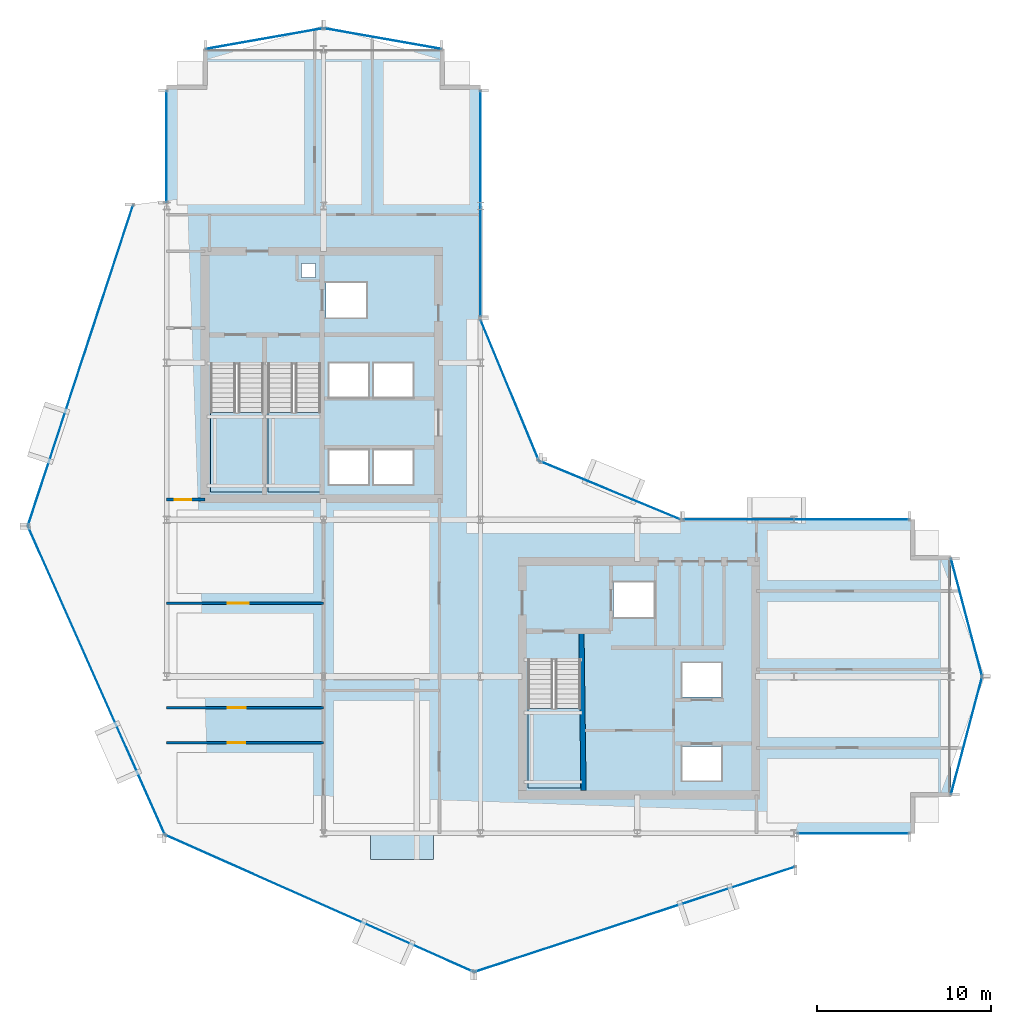
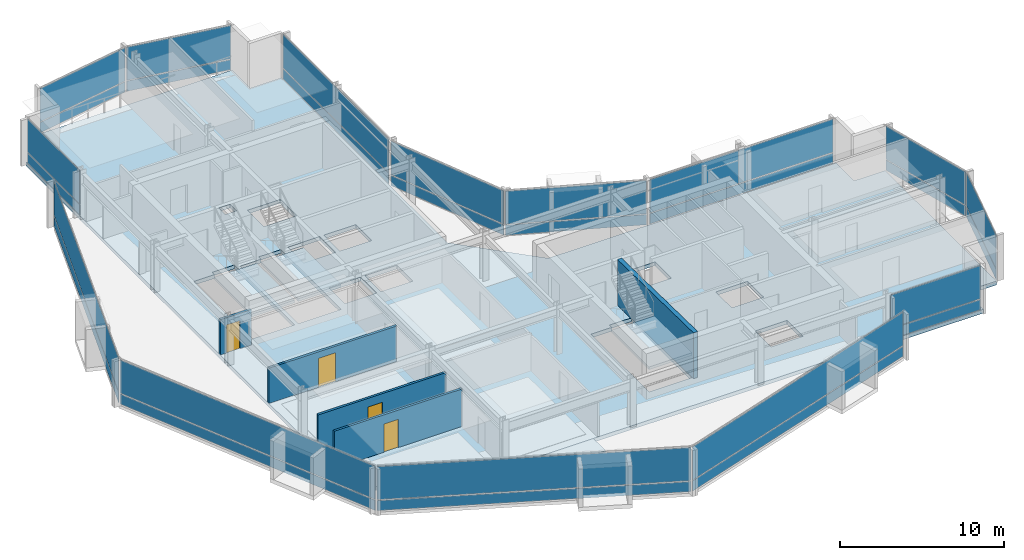
# One storey, part 21 of 29: 28 plates, 5 slabs, 5 walls, 4 doors, 4 openings, 17 elements without a shape of their own.
"""IFC4 building model written with IfcOpenShell, lengths in metres."""

import ifcopenshell
import ifcopenshell.guid

model = None  # the IFC model being written
_history = None  # IfcOwnerHistory: only IFC2X3 demands one
_inside = {}  # id of a spatial element -> (the spatial element, [elements in it])
_under = {}  # id of a project, library or spatial element -> (it, [spatial elements below it])
_declared = {}  # id of a project -> (the project, [libraries it declares])
_typed = {}  # id of a type object -> (the type object, [elements of that type])
_made_of = {}  # id of a material, layer set ... -> (it, [elements and type objects made of it])


def new_model(schema):
    """Start an empty IFC model of exactly this schema.

    Asked for "IFC4X3", IfcOpenShell would pick the latest addendum, in which some entities
    have other attributes; the version numbers below select the first issue.
    IFC2X3 requires an IfcOwnerHistory on every rooted entity: one is made here for all.
    """
    global model, _history
    if schema == "IFC4X3":
        model = ifcopenshell.file(schema_version=(4, 3, 0, 0))
    else:
        model = ifcopenshell.file(schema=schema)
    _inside.clear()
    _under.clear()
    _declared.clear()
    _typed.clear()
    _made_of.clear()
    _history = None
    if model.schema == "IFC2X3":
        org = make("IfcOrganization", Name="unknown")
        user = make(
            "IfcPersonAndOrganization",
            ThePerson=make("IfcPerson", FamilyName="unknown"),
            TheOrganization=org,
        )
        app = make(
            "IfcApplication",
            ApplicationDeveloper=org,
            Version="unknown",
            ApplicationFullName="unknown",
            ApplicationIdentifier="unknown",
        )
        _history = make(
            "IfcOwnerHistory",
            OwningUser=user,
            OwningApplication=app,
            ChangeAction="ADDED",
            CreationDate=0,
        )
    return model


def make(cls, **values):
    """One entity of the class cls with the attributes given. An attribute that is None is left unset."""
    return model.create_entity(
        cls, **{name: value for name, value in values.items() if value is not None}
    )


def rooted(cls, **values):
    """An entity with a GlobalId (a new one), such as an element, a storey or a relation."""
    return make(cls, GlobalId=ifcopenshell.guid.new(), OwnerHistory=_history, **values)


def si_unit(unit_type, name, prefix=None):
    """IfcSIUnit, for example si_unit("LENGTHUNIT", "METRE", prefix="MILLI")."""
    return make("IfcSIUnit", UnitType=unit_type, Prefix=prefix, Name=name)


def assignment(units):
    """IfcUnitAssignment: the units of a project."""
    return None if units is None else make("IfcUnitAssignment", Units=units)


def point(xyz):
    """IfcCartesianPoint."""
    return None if xyz is None else make("IfcCartesianPoint", Coordinates=xyz)


def direction(xyz):
    """IfcDirection."""
    return None if xyz is None else make("IfcDirection", DirectionRatios=xyz)


def frame(location, z_axis=None, x_axis=None):
    """IfcAxis2Placement3D, a coordinate frame: its origin and axes. An axis left out is left unset."""
    return make(
        "IfcAxis2Placement3D",
        Location=point(location),
        Axis=direction(z_axis),
        RefDirection=direction(x_axis),
    )


def frame_2d(location, x_axis=None):
    """IfcAxis2Placement2D, a coordinate frame in the plane: its origin and x axis."""
    return make(
        "IfcAxis2Placement2D", Location=point(location), RefDirection=direction(x_axis)
    )


def origin():
    """The frame at (0, 0, 0) with its axes left unset."""
    return frame((0.0, 0.0, 0.0))


def origin_2d():
    """The frame at (0, 0) in the plane with its x axis left unset."""
    return frame_2d((0.0, 0.0))


def place(relative_to, where):
    """IfcLocalPlacement: puts the frame where relative to a parent placement (None: the world)."""
    return make(
        "IfcLocalPlacement", PlacementRelTo=relative_to, RelativePlacement=where
    )


def context(
    kind, dimensions, precision=None, world=None, true_north=None, identifier=None
):
    """IfcGeometricRepresentationContext, for example the 3D "Model" context."""
    return make(
        "IfcGeometricRepresentationContext",
        ContextIdentifier=identifier,
        ContextType=kind,
        CoordinateSpaceDimension=dimensions,
        Precision=precision,
        WorldCoordinateSystem=world,
        TrueNorth=true_north,
    )


def subcontext(parent, identifier, kind, view, scale=None):
    """IfcGeometricRepresentationSubContext, for example "Body" below "Model"."""
    return make(
        "IfcGeometricRepresentationSubContext",
        ContextIdentifier=identifier,
        ContextType=kind,
        ParentContext=parent,
        TargetScale=scale,
        TargetView=view,
    )


def project(units=None, contexts=None):
    """IfcProject with its units and contexts."""
    return rooted(
        "IfcProject",
        Name="project",
        RepresentationContexts=contexts,
        UnitsInContext=assignment(units),
    )


def spatial(cls, under=None, at=None, **own):
    """A site, building, storey or space (cls), placed at a placement, below another one or the project."""
    s = rooted(cls, ObjectPlacement=at, **own)
    if under is not None:
        _under.setdefault(under.id(), (under, []))[1].append(s)
    return s


def polyline(points):
    """IfcPolyline through the points."""
    return make("IfcPolyline", Points=[point(p) for p in points])


def profile(cls, at=None, kind="AREA", **sizes):
    """A parametric profile (cls). Its sizes go by their IFC names, for example OverallWidth=200.0."""
    return make(cls, ProfileType=kind, Position=at, **sizes)


def rectangle(**sizes):
    """IfcRectangleProfileDef."""
    return profile("IfcRectangleProfileDef", **sizes)


def outline(outer, holes=None, kind="AREA"):
    """IfcArbitraryClosedProfileDef: a profile drawn as a closed curve; with holes, ...WithVoids."""
    if holes is None:
        return make("IfcArbitraryClosedProfileDef", ProfileType=kind, OuterCurve=outer)
    return make(
        "IfcArbitraryProfileDefWithVoids",
        ProfileType=kind,
        OuterCurve=outer,
        InnerCurves=holes,
    )


def extrude(swept, where, along, depth):
    """IfcExtrudedAreaSolid: the profile swept, set in the frame where, extruded along a direction by depth."""
    return make(
        "IfcExtrudedAreaSolid",
        SweptArea=swept,
        Position=where,
        ExtrudedDirection=direction(along),
        Depth=depth,
    )


def shape(context_of_items, identifier, shape_type, items):
    """IfcShapeRepresentation: the items that make up one representation, for example the "Body"."""
    return make(
        "IfcShapeRepresentation",
        ContextOfItems=context_of_items,
        RepresentationIdentifier=identifier,
        RepresentationType=shape_type,
        Items=items,
    )


def material(Name=None, Category=None):
    """IfcMaterial."""
    return make("IfcMaterial", Name=Name, Category=Category)


def layer(
    of_material, thickness, ventilated=None, Name=None, Category=None, Priority=None
):
    """IfcMaterialLayer: one layer of a wall or slab, of a material (None: an air gap)."""
    return make(
        "IfcMaterialLayer",
        Material=of_material,
        LayerThickness=thickness,
        IsVentilated=ventilated,
        Name=Name,
        Category=Category,
        Priority=Priority,
    )


def layer_set(layers, Name=None):
    """IfcMaterialLayerSet."""
    return make("IfcMaterialLayerSet", MaterialLayers=layers, LayerSetName=Name)


def made_of(thing, what):
    """Note that an element or type object is made of a material, layer set ...; save() writes the relation."""
    if what is not None:
        _made_of.setdefault(what.id(), (what, []))[1].append(thing)
    return thing


def type_object(cls, material=None, **own):
    """A type object (cls), such as IfcWallType, which elements share."""
    return made_of(rooted(cls, **own), material)


def element(
    cls,
    number,
    at=None,
    inside=None,
    cuts=None,
    type_object=None,
    material=None,
    context=None,
    identifier="Body",
    shape_type=None,
    held_by="IfcProductDefinitionShape",
    body=None,
    shapes=None,
    **own,
):
    """One element of the class cls, such as IfcWall. Its Tag is "e" and its number.

    at: its placement. inside: the storey or other place that contains it. cuts: it is an
    opening in that element (IfcRelVoidsElement). A single representation is given by context,
    identifier, shape_type and body (its items); several are given by shapes. held_by: the class
    of the entity that holds the representations. save() writes the other relations.
    """
    e = rooted(cls, Tag="e%d" % number, ObjectPlacement=at, **own)
    if body is not None:
        shapes = [shape(context, identifier, shape_type, body)]
    if shapes is not None:
        e.Representation = make(held_by, Representations=shapes)
    if inside is not None:
        _inside.setdefault(inside.id(), (inside, []))[1].append(e)
    if cuts is not None:
        rooted(
            "IfcRelVoidsElement", RelatingBuildingElement=cuts, RelatedOpeningElement=e
        )
    if type_object is not None:
        _typed.setdefault(type_object.id(), (type_object, []))[1].append(e)
    return made_of(e, material)


def fill(opening, filler):
    """IfcRelFillsElement: the door or window that sits in an opening."""
    return rooted(
        "IfcRelFillsElement",
        RelatingOpeningElement=opening,
        RelatedBuildingElement=filler,
    )


def aggregate(whole, parts):
    """IfcRelAggregates: a whole, such as a stair, and the parts it consists of."""
    return rooted("IfcRelAggregates", RelatingObject=whole, RelatedObjects=parts)


def save(model, path):
    """Write the relations noted so far, then the file.

    IfcRelAggregates (storeys below a building ...), IfcRelContainedInSpatialStructure (elements
    in a storey), IfcRelDefinesByType, IfcRelAssociatesMaterial and IfcRelDeclares: one each for
    every whole, place, type object, material and project.
    """
    for whole, parts in _under.values():
        aggregate(whole, parts)
    for where, things in _inside.values():
        rooted(
            "IfcRelContainedInSpatialStructure",
            RelatedElements=things,
            RelatingStructure=where,
        )
    for kind, things in _typed.values():
        rooted("IfcRelDefinesByType", RelatedObjects=things, RelatingType=kind)
    for what, things in _made_of.values():
        rooted("IfcRelAssociatesMaterial", RelatedObjects=things, RelatingMaterial=what)
    for by, libraries in _declared.values():
        rooted("IfcRelDeclares", RelatingContext=by, RelatedDefinitions=libraries)
    model.write(path)


model = new_model("IFC4")

# Units and contexts
model_context = context("Model", 3, precision=1e-05, world=origin(), true_north=direction((0.0, 1.0)))
body_context = subcontext(model_context, "Body", "Model", "MODEL_VIEW")
ifc_project = project(units=[si_unit("LENGTHUNIT", "METRE"), si_unit("AREAUNIT", "SQUARE_METRE"), si_unit("VOLUMEUNIT", "CUBIC_METRE"), si_unit("PLANEANGLEUNIT", "RADIAN"), si_unit("MASSUNIT", "GRAM", prefix="KILO")], contexts=[model_context])

# Site, building, storey
site_placement = place(None, origin())
site = spatial("IfcSite", under=ifc_project, at=site_placement, CompositionType="ELEMENT")
building_placement = place(site_placement, origin())
building = spatial("IfcBuilding", under=site, at=building_placement, Name="Solvaryn Broadcast Tower", CompositionType="ELEMENT")
storey_placement = place(building_placement, frame((0.0, 0.0, 147.0)))
storey = spatial("IfcBuildingStorey", under=building, at=storey_placement, Name="L36", CompositionType="ELEMENT", Elevation=147.0)

# Curtain wall, plates
ifc_material_1 = material(Name="Aluminium and Terracotta Unitised Curtain Wall", Category="masonry")
ifc_layer_1 = layer(ifc_material_1, 0.199951171875)
ifc_layer_set_1 = layer_set([ifc_layer_1], Name="CW-SYS2-LOWMID")
curtain_wall_type = type_object("IfcCurtainWallType", Name="CW-SYS2-LOWMID", PredefinedType="NOTDEFINED", material=ifc_layer_set_1)
curtain_wall_1_placement = place(storey_placement, origin())
curtain_wall_1 = element("IfcCurtainWall", 1, at=curtain_wall_1_placement, inside=storey, type_object=curtain_wall_type, Name="L36 Curtain Wall DR1", PredefinedType="NOTDEFINED")
ifc_material_2 = material(Name="Kiln-Fired Architectural Terracotta Spandrel", Category="masonry")
ifc_layer_2 = layer(ifc_material_2, 0.048095703125)
ifc_layer_set_2 = layer_set([ifc_layer_2], Name="CW-PNL-TERRACOTTA")
plate_type = type_object("IfcPlateType", Name="CW-PNL-TERRACOTTA", PredefinedType="CURTAIN_PANEL", material=ifc_layer_set_2)
plate_1_placement = place(storey_placement, frame((4.056396484375, 35.8515625, 0.06005859375), z_axis=(0.0, 0.0, 1.0), x_axis=(-0.311646057547, -0.950198260794, 0.0)))
plate_1 = element("IfcPlate", 2, at=plate_1_placement, type_object=plate_type, Name="CWS2 panel 1.1", PredefinedType="CURTAIN_PANEL", context=body_context, shape_type="SweptSolid", body=[
    extrude(rectangle(XDim=19.277099609375, YDim=0.028076171875, at=origin_2d()), origin(), (0.0, 0.0, 1.0), 0.760009765625),
])
plate_2_placement = place(storey_placement, frame((4.056396484375, 35.8515625, 0.880126953125), z_axis=(0.0, 0.0, 1.0), x_axis=(-0.311646057547, -0.950198260794, 0.0)))
plate_2 = element("IfcPlate", 3, at=plate_2_placement, type_object=plate_type, Name="CWS2 panel 1.2", PredefinedType="CURTAIN_PANEL", context=body_context, shape_type="SweptSolid", body=[
    extrude(rectangle(XDim=19.277099609375, YDim=0.028076171875, at=origin_2d()), origin(), (0.0, 0.0, 1.0), 2.47998046875),
])
aggregate(curtain_wall_1, [plate_1, plate_2])

curtain_wall_2_placement = place(storey_placement, origin())
curtain_wall_2 = element("IfcCurtainWall", 4, at=curtain_wall_2_placement, inside=storey, type_object=curtain_wall_type, Name="L36 Curtain Wall DR2", PredefinedType="NOTDEFINED")
plate_3_placement = place(storey_placement, frame((4.970947265625, 17.77197265625, 0.06005859375), z_axis=(0.0, 0.0, 1.0), x_axis=(0.405918429309, -0.913909311008, 0.0)))
plate_3 = element("IfcPlate", 5, at=plate_3_placement, type_object=plate_type, Name="CWS2 panel 1.1", PredefinedType="CURTAIN_PANEL", context=body_context, shape_type="SweptSolid", body=[
    extrude(rectangle(XDim=19.278076171875, YDim=0.028076171875, at=origin_2d()), origin(), (0.0, 0.0, 1.0), 0.760009765625),
])
plate_4_placement = place(storey_placement, frame((4.970947265625, 17.77197265625, 0.880126953125), z_axis=(0.0, 0.0, 1.0), x_axis=(0.405918429309, -0.913909311008, 0.0)))
plate_4 = element("IfcPlate", 6, at=plate_4_placement, type_object=plate_type, Name="CWS2 panel 1.2", PredefinedType="CURTAIN_PANEL", context=body_context, shape_type="SweptSolid", body=[
    extrude(rectangle(XDim=19.278076171875, YDim=0.028076171875, at=origin_2d()), origin(), (0.0, 0.0, 1.0), 2.47998046875),
])
aggregate(curtain_wall_2, [plate_3, plate_4])

curtain_wall_3_placement = place(storey_placement, origin())
curtain_wall_3 = element("IfcCurtainWall", 7, at=curtain_wall_3_placement, inside=storey, type_object=curtain_wall_type, Name="L36 Curtain Wall DR3", PredefinedType="NOTDEFINED")
plate_5_placement = place(storey_placement, frame((17.77197265625, 4.970947265625, 0.06005859375), z_axis=(0.0, 0.0, 1.0), x_axis=(0.913909311008, -0.405918429309, 0.0)))
plate_5 = element("IfcPlate", 8, at=plate_5_placement, type_object=plate_type, Name="CWS2 panel 1.1", PredefinedType="CURTAIN_PANEL", context=body_context, shape_type="SweptSolid", body=[
    extrude(rectangle(XDim=19.278076171875, YDim=0.028076171875, at=origin_2d()), origin(), (0.0, 0.0, 1.0), 0.760009765625),
])
plate_6_placement = place(storey_placement, frame((17.77197265625, 4.970947265625, 0.880126953125), z_axis=(0.0, 0.0, 1.0), x_axis=(0.913909311008, -0.405918429309, 0.0)))
plate_6 = element("IfcPlate", 9, at=plate_6_placement, type_object=plate_type, Name="CWS2 panel 1.2", PredefinedType="CURTAIN_PANEL", context=body_context, shape_type="SweptSolid", body=[
    extrude(rectangle(XDim=19.278076171875, YDim=0.028076171875, at=origin_2d()), origin(), (0.0, 0.0, 1.0), 2.47998046875),
])
aggregate(curtain_wall_3, [plate_5, plate_6])

curtain_wall_4_placement = place(storey_placement, origin())
curtain_wall_4 = element("IfcCurtainWall", 10, at=curtain_wall_4_placement, inside=storey, type_object=curtain_wall_type, Name="L36 Curtain Wall DR4", PredefinedType="NOTDEFINED")
plate_7_placement = place(storey_placement, frame((35.8515625, 4.056396484375, 0.06005859375), z_axis=(0.0, 0.0, 1.0), x_axis=(0.950198260794, 0.311646057547, 0.0)))
plate_7 = element("IfcPlate", 11, at=plate_7_placement, type_object=plate_type, Name="CWS2 panel 1.1", PredefinedType="CURTAIN_PANEL", context=body_context, shape_type="SweptSolid", body=[
    extrude(rectangle(XDim=19.277099609375, YDim=0.028076171875, at=origin_2d()), origin(), (0.0, 0.0, 1.0), 0.760009765625),
])
plate_8_placement = place(storey_placement, frame((35.8515625, 4.056396484375, 0.880126953125), z_axis=(0.0, 0.0, 1.0), x_axis=(0.950198260794, 0.311646057547, 0.0)))
plate_8 = element("IfcPlate", 12, at=plate_8_placement, type_object=plate_type, Name="CWS2 panel 1.2", PredefinedType="CURTAIN_PANEL", context=body_context, shape_type="SweptSolid", body=[
    extrude(rectangle(XDim=19.277099609375, YDim=0.028076171875, at=origin_2d()), origin(), (0.0, 0.0, 1.0), 2.47998046875),
])
aggregate(curtain_wall_4, [plate_7, plate_8])

curtain_wall_5_placement = place(storey_placement, origin())
curtain_wall_5 = element("IfcCurtainWall", 13, at=curtain_wall_5_placement, inside=storey, type_object=curtain_wall_type, Name="L36 Curtain Wall W2", PredefinedType="NOTDEFINED")
plate_9_placement = place(storey_placement, frame((9.0, 48.408447265625, 0.06005859375), z_axis=(0.0, 0.0, 1.0), x_axis=(0.0, 1.0, 0.0)))
plate_9 = element("IfcPlate", 14, at=plate_9_placement, type_object=plate_type, Name="CWS2 panel 1.1", PredefinedType="CURTAIN_PANEL", context=body_context, shape_type="SweptSolid", body=[
    extrude(rectangle(XDim=6.363037109375, YDim=0.028076171875, at=origin_2d()), origin(), (0.0, 0.0, 1.0), 0.760009765625),
])
plate_10_placement = place(storey_placement, frame((9.0, 48.408447265625, 0.880126953125), z_axis=(0.0, 0.0, 1.0), x_axis=(0.0, 1.0, 0.0)))
plate_10 = element("IfcPlate", 15, at=plate_10_placement, type_object=plate_type, Name="CWS2 panel 1.2", PredefinedType="CURTAIN_PANEL", context=body_context, shape_type="SweptSolid", body=[
    extrude(rectangle(XDim=6.363037109375, YDim=0.028076171875, at=origin_2d()), origin(), (0.0, 0.0, 1.0), 2.47998046875),
])
aggregate(curtain_wall_5, [plate_9, plate_10])

curtain_wall_6_placement = place(storey_placement, origin())
curtain_wall_6 = element("IfcCurtainWall", 16, at=curtain_wall_6_placement, inside=storey, type_object=curtain_wall_type, Name="L36 Curtain Wall IV", PredefinedType="NOTDEFINED")
plate_11_placement = place(storey_placement, frame((27.0, 45.125, 0.06005859375), z_axis=(0.0, 0.0, 1.0), x_axis=(0.0, -1.0, 0.0)))
plate_11 = element("IfcPlate", 17, at=plate_11_placement, type_object=plate_type, Name="CWS2 panel 1.1", PredefinedType="CURTAIN_PANEL", context=body_context, shape_type="SweptSolid", body=[
    extrude(rectangle(XDim=12.929931640625, YDim=0.028076171875, at=origin_2d()), origin(), (0.0, 0.0, 1.0), 0.760009765625),
])
plate_12_placement = place(storey_placement, frame((27.0, 45.125, 0.880126953125), z_axis=(0.0, 0.0, 1.0), x_axis=(0.0, -1.0, 0.0)))
plate_12 = element("IfcPlate", 18, at=plate_12_placement, type_object=plate_type, Name="CWS2 panel 1.2", PredefinedType="CURTAIN_PANEL", context=body_context, shape_type="SweptSolid", body=[
    extrude(rectangle(XDim=12.929931640625, YDim=0.028076171875, at=origin_2d()), origin(), (0.0, 0.0, 1.0), 2.47998046875),
])
aggregate(curtain_wall_6, [plate_11, plate_12])

curtain_wall_7_placement = place(storey_placement, origin())
curtain_wall_7 = element("IfcCurtainWall", 19, at=curtain_wall_7_placement, inside=storey, type_object=curtain_wall_type, Name="L36 Curtain Wall CN1", PredefinedType="NOTDEFINED")
plate_13_placement = place(storey_placement, frame((34.43408203125, 28.68408203125, 0.06005859375), z_axis=(0.0, 0.0, 1.0), x_axis=(-0.923894983957, 0.382646127145, 0.0)))
plate_13 = element("IfcPlate", 20, at=plate_13_placement, type_object=plate_type, Name="CWS2 panel 1.1", PredefinedType="CURTAIN_PANEL", context=body_context, shape_type="SweptSolid", body=[
    extrude(rectangle(XDim=8.681884765625, YDim=0.028076171875, at=origin_2d()), origin(), (0.0, 0.0, 1.0), 0.760009765625),
])
plate_14_placement = place(storey_placement, frame((34.43408203125, 28.68408203125, 0.880126953125), z_axis=(0.0, 0.0, 1.0), x_axis=(-0.923894983957, 0.382646127145, 0.0)))
plate_14 = element("IfcPlate", 21, at=plate_14_placement, type_object=plate_type, Name="CWS2 panel 1.2", PredefinedType="CURTAIN_PANEL", context=body_context, shape_type="SweptSolid", body=[
    extrude(rectangle(XDim=8.681884765625, YDim=0.028076171875, at=origin_2d()), origin(), (0.0, 0.0, 1.0), 2.47998046875),
])
aggregate(curtain_wall_7, [plate_13, plate_14])

curtain_wall_8_placement = place(storey_placement, origin())
curtain_wall_8 = element("IfcCurtainWall", 22, at=curtain_wall_8_placement, inside=storey, type_object=curtain_wall_type, Name="L36 Curtain Wall CN2", PredefinedType="NOTDEFINED")
plate_15_placement = place(storey_placement, frame((28.68408203125, 34.43408203125, 0.06005859375), z_axis=(0.0, 0.0, 1.0), x_axis=(-0.382646127145, 0.923894983957, 0.0)))
plate_15 = element("IfcPlate", 23, at=plate_15_placement, type_object=plate_type, Name="CWS2 panel 1.1", PredefinedType="CURTAIN_PANEL", context=body_context, shape_type="SweptSolid", body=[
    extrude(rectangle(XDim=8.681884765625, YDim=0.028076171875, at=origin_2d()), origin(), (0.0, 0.0, 1.0), 0.760009765625),
])
plate_16_placement = place(storey_placement, frame((28.68408203125, 34.43408203125, 0.880126953125), z_axis=(0.0, 0.0, 1.0), x_axis=(-0.382646127145, 0.923894983957, 0.0)))
plate_16 = element("IfcPlate", 24, at=plate_16_placement, type_object=plate_type, Name="CWS2 panel 1.2", PredefinedType="CURTAIN_PANEL", context=body_context, shape_type="SweptSolid", body=[
    extrude(rectangle(XDim=8.681884765625, YDim=0.028076171875, at=origin_2d()), origin(), (0.0, 0.0, 1.0), 2.47998046875),
])
aggregate(curtain_wall_8, [plate_15, plate_16])

curtain_wall_9_placement = place(storey_placement, origin())
curtain_wall_9 = element("IfcCurtainWall", 25, at=curtain_wall_9_placement, inside=storey, type_object=curtain_wall_type, Name="L36 Curtain Wall S2", PredefinedType="NOTDEFINED")
plate_17_placement = place(storey_placement, frame((48.408447265625, 9.0, 0.06005859375), z_axis=(0.0, 0.0, 1.0), x_axis=(1.0, 0.0, 0.0)))
plate_17 = element("IfcPlate", 26, at=plate_17_placement, type_object=plate_type, Name="CWS2 panel 1.1", PredefinedType="CURTAIN_PANEL", context=body_context, shape_type="SweptSolid", body=[
    extrude(rectangle(XDim=6.363037109375, YDim=0.028076171875, at=origin_2d()), origin(), (0.0, 0.0, 1.0), 0.760009765625),
])
plate_18_placement = place(storey_placement, frame((48.408447265625, 9.0, 0.880126953125), z_axis=(0.0, 0.0, 1.0), x_axis=(1.0, 0.0, 0.0)))
plate_18 = element("IfcPlate", 27, at=plate_18_placement, type_object=plate_type, Name="CWS2 panel 1.2", PredefinedType="CURTAIN_PANEL", context=body_context, shape_type="SweptSolid", body=[
    extrude(rectangle(XDim=6.363037109375, YDim=0.028076171875, at=origin_2d()), origin(), (0.0, 0.0, 1.0), 2.47998046875),
])
aggregate(curtain_wall_9, [plate_17, plate_18])

curtain_wall_10_placement = place(storey_placement, origin())
curtain_wall_10 = element("IfcCurtainWall", 28, at=curtain_wall_10_placement, inside=storey, type_object=curtain_wall_type, Name="L36 Curtain Wall NT1", PredefinedType="NOTDEFINED")
plate_19_placement = place(storey_placement, frame((21.39990234375, 54.60009765625, 0.06005859375), z_axis=(0.0, 0.0, 1.0), x_axis=(-0.984783558819, 0.173785333901, 0.0)))
plate_19 = element("IfcPlate", 29, at=plate_19_placement, type_object=plate_type, Name="CWS2 panel 1.1", PredefinedType="CURTAIN_PANEL", context=body_context, shape_type="SweptSolid", body=[
    extrude(rectangle(XDim=6.78515625, YDim=0.028076171875, at=origin_2d()), origin(), (0.0, 0.0, 1.0), 0.760009765625),
])
plate_20_placement = place(storey_placement, frame((21.39990234375, 54.60009765625, 0.880126953125), z_axis=(0.0, 0.0, 1.0), x_axis=(-0.984783558819, 0.173785333901, 0.0)))
plate_20 = element("IfcPlate", 30, at=plate_20_placement, type_object=plate_type, Name="CWS2 panel 1.2", PredefinedType="CURTAIN_PANEL", context=body_context, shape_type="SweptSolid", body=[
    extrude(rectangle(XDim=6.78515625, YDim=0.028076171875, at=origin_2d()), origin(), (0.0, 0.0, 1.0), 2.47998046875),
])
aggregate(curtain_wall_10, [plate_19, plate_20])

curtain_wall_11_placement = place(storey_placement, origin())
curtain_wall_11 = element("IfcCurtainWall", 31, at=curtain_wall_11_placement, inside=storey, type_object=curtain_wall_type, Name="L36 Curtain Wall NT2", PredefinedType="NOTDEFINED")
plate_21_placement = place(storey_placement, frame((14.60009765625, 54.60009765625, 0.06005859375), z_axis=(0.0, 0.0, 1.0), x_axis=(-0.984783558819, -0.173785333901, 0.0)))
plate_21 = element("IfcPlate", 32, at=plate_21_placement, type_object=plate_type, Name="CWS2 panel 1.1", PredefinedType="CURTAIN_PANEL", context=body_context, shape_type="SweptSolid", body=[
    extrude(rectangle(XDim=6.78515625, YDim=0.028076171875, at=origin_2d()), origin(), (0.0, 0.0, 1.0), 0.760009765625),
])
plate_22_placement = place(storey_placement, frame((14.60009765625, 54.60009765625, 0.880126953125), z_axis=(0.0, 0.0, 1.0), x_axis=(-0.984783558819, -0.173785333901, 0.0)))
plate_22 = element("IfcPlate", 33, at=plate_22_placement, type_object=plate_type, Name="CWS2 panel 1.2", PredefinedType="CURTAIN_PANEL", context=body_context, shape_type="SweptSolid", body=[
    extrude(rectangle(XDim=6.78515625, YDim=0.028076171875, at=origin_2d()), origin(), (0.0, 0.0, 1.0), 2.47998046875),
])
aggregate(curtain_wall_11, [plate_21, plate_22])

curtain_wall_12_placement = place(storey_placement, origin())
curtain_wall_12 = element("IfcCurtainWall", 34, at=curtain_wall_12_placement, inside=storey, type_object=curtain_wall_type, Name="L36 Curtain Wall ET1", PredefinedType="NOTDEFINED")
plate_23_placement = place(storey_placement, frame((54.89990234375, 21.39990234375, 0.06005859375), z_axis=(0.0, 0.0, 1.0), x_axis=(0.25589256031, -0.966705227863, 0.0)))
plate_23 = element("IfcPlate", 35, at=plate_23_placement, type_object=plate_type, Name="CWS2 panel 1.1", PredefinedType="CURTAIN_PANEL", context=body_context, shape_type="SweptSolid", body=[
    extrude(rectangle(XDim=6.914306640625, YDim=0.028076171875, at=origin_2d()), origin(), (0.0, 0.0, 1.0), 0.760009765625),
])
plate_24_placement = place(storey_placement, frame((54.89990234375, 21.39990234375, 0.880126953125), z_axis=(0.0, 0.0, 1.0), x_axis=(0.25589256031, -0.966705227863, 0.0)))
plate_24 = element("IfcPlate", 36, at=plate_24_placement, type_object=plate_type, Name="CWS2 panel 1.2", PredefinedType="CURTAIN_PANEL", context=body_context, shape_type="SweptSolid", body=[
    extrude(rectangle(XDim=6.914306640625, YDim=0.028076171875, at=origin_2d()), origin(), (0.0, 0.0, 1.0), 2.47998046875),
])
aggregate(curtain_wall_12, [plate_23, plate_24])

curtain_wall_13_placement = place(storey_placement, origin())
curtain_wall_13 = element("IfcCurtainWall", 37, at=curtain_wall_13_placement, inside=storey, type_object=curtain_wall_type, Name="L36 Curtain Wall ET2", PredefinedType="NOTDEFINED")
plate_25_placement = place(storey_placement, frame((54.89990234375, 14.60009765625, 0.06005859375), z_axis=(0.0, 0.0, 1.0), x_axis=(-0.25589256031, -0.966705227863, 0.0)))
plate_25 = element("IfcPlate", 38, at=plate_25_placement, type_object=plate_type, Name="CWS2 panel 1.1", PredefinedType="CURTAIN_PANEL", context=body_context, shape_type="SweptSolid", body=[
    extrude(rectangle(XDim=6.914306640625, YDim=0.028076171875, at=origin_2d()), origin(), (0.0, 0.0, 1.0), 0.760009765625),
])
plate_26_placement = place(storey_placement, frame((54.89990234375, 14.60009765625, 0.880126953125), z_axis=(0.0, 0.0, 1.0), x_axis=(-0.25589256031, -0.966705227863, 0.0)))
plate_26 = element("IfcPlate", 39, at=plate_26_placement, type_object=plate_type, Name="CWS2 panel 1.2", PredefinedType="CURTAIN_PANEL", context=body_context, shape_type="SweptSolid", body=[
    extrude(rectangle(XDim=6.914306640625, YDim=0.028076171875, at=origin_2d()), origin(), (0.0, 0.0, 1.0), 2.47998046875),
])
aggregate(curtain_wall_13, [plate_25, plate_26])

curtain_wall_14_placement = place(storey_placement, origin())
curtain_wall_14 = element("IfcCurtainWall", 40, at=curtain_wall_14_placement, inside=storey, type_object=curtain_wall_type, Name="L36 Curtain Wall IH", PredefinedType="NOTDEFINED")
plate_27_placement = place(storey_placement, frame((45.125, 27.0, 0.06005859375), z_axis=(0.0, 0.0, 1.0), x_axis=(1.0, 0.0, 0.0)))
plate_27 = element("IfcPlate", 41, at=plate_27_placement, type_object=plate_type, Name="CWS2 panel 1.1", PredefinedType="CURTAIN_PANEL", context=body_context, shape_type="SweptSolid", body=[
    extrude(rectangle(XDim=12.929931640625, YDim=0.028076171875, at=origin_2d()), origin(), (0.0, 0.0, 1.0), 0.760009765625),
])
plate_28_placement = place(storey_placement, frame((45.125, 27.0, 0.880126953125), z_axis=(0.0, 0.0, 1.0), x_axis=(1.0, 0.0, 0.0)))
plate_28 = element("IfcPlate", 42, at=plate_28_placement, type_object=plate_type, Name="CWS2 panel 1.2", PredefinedType="CURTAIN_PANEL", context=body_context, shape_type="SweptSolid", body=[
    extrude(rectangle(XDim=12.929931640625, YDim=0.028076171875, at=origin_2d()), origin(), (0.0, 0.0, 1.0), 2.47998046875),
])
aggregate(curtain_wall_14, [plate_27, plate_28])

# Slab
ifc_material_3 = material(Name="Concrete f'c 60 MPa", Category="concrete")
ifc_layer_3 = layer(ifc_material_3, 0.2099609375)
ifc_layer_set_3 = layer_set([ifc_layer_3], Name="SL-BAYBOX-210")
slab_type_1 = type_object("IfcSlabType", Name="SL-BAYBOX-210", PredefinedType="FLOOR", material=ifc_layer_set_3)
slab_1_placement = place(storey_placement, frame((0.0, 0.0, -0.2099609375)))
element("IfcSlab", 43, at=slab_1_placement, inside=storey, type_object=slab_type_1, Name="L36 Projecting Bay-Box Slab 1", PredefinedType="FLOOR", context=body_context, shape_type="SweptSolid", body=[
    extrude(outline(polyline([(20.699951171875, 7.5), (24.300048828125, 7.5), (24.300048828125, 9.0), (20.699951171875, 9.0), (20.699951171875, 7.5)])), origin(), (0.0, 0.0, 1.0), 0.2099609375),
])

# Stair, slab
ifc_material_4 = material(Name="Concrete f'c 60 MPa", Category="concrete")
stair_type = type_object("IfcStairType", Name="ST-CORE", PredefinedType="HALF_TURN_STAIR", material=ifc_material_4)
stair_1_placement = place(storey_placement, origin())
stair_1 = element("IfcStair", 44, at=stair_1_placement, inside=storey, type_object=stair_type, Name="L36 ST1", PredefinedType="HALF_TURN_STAIR")
ifc_material_5 = material(Name="Concrete f'c 60 MPa", Category="concrete")
ifc_layer_4 = layer(ifc_material_5, 0.199951171875)
ifc_layer_set_4 = layer_set([ifc_layer_4], Name="SL-LANDING-200")
slab_type_2 = type_object("IfcSlabType", Name="SL-LANDING-200", PredefinedType="LANDING", material=ifc_layer_set_4)
slab_2_placement = place(storey_placement, frame((0.0, 0.0, 1.64990234375)))
slab_2 = element("IfcSlab", 45, at=slab_2_placement, type_object=slab_type_2, Name="ST1 landing 1", PredefinedType="LANDING", context=body_context, shape_type="SweptSolid", body=[
    extrude(outline(polyline([(11.52001953125, 33.159912109375), (11.52001953125, 28.60009765625), (14.550048828125, 28.60009765625), (14.550048828125, 33.159912109375), (11.52001953125, 33.159912109375)])), origin(), (0.0, 0.0, 1.0), 0.2001953125),
])
aggregate(stair_1, [slab_2])

stair_2_placement = place(storey_placement, origin())
stair_2 = element("IfcStair", 46, at=stair_2_placement, inside=storey, type_object=stair_type, Name="L36 ST2", PredefinedType="HALF_TURN_STAIR")
slab_3_placement = place(storey_placement, frame((0.0, 0.0, 1.64990234375)))
slab_3 = element("IfcSlab", 47, at=slab_3_placement, type_object=slab_type_2, Name="ST2 landing 1", PredefinedType="LANDING", context=body_context, shape_type="SweptSolid", body=[
    extrude(outline(polyline([(14.800048828125, 33.159912109375), (14.800048828125, 28.60009765625), (17.830078125, 28.60009765625), (17.830078125, 33.159912109375), (14.800048828125, 33.159912109375)])), origin(), (0.0, 0.0, 1.0), 0.2001953125),
])
aggregate(stair_2, [slab_3])

stair_3_placement = place(storey_placement, origin())
stair_3 = element("IfcStair", 48, at=stair_3_placement, inside=storey, type_object=stair_type, Name="L36 ST3", PredefinedType="HALF_TURN_STAIR")
slab_4_placement = place(storey_placement, frame((0.0, 0.0, 1.64990234375)))
slab_4 = element("IfcSlab", 49, at=slab_4_placement, type_object=slab_type_2, Name="ST3 landing 1", PredefinedType="LANDING", context=body_context, shape_type="SweptSolid", body=[
    extrude(outline(polyline([(29.719970703125, 16.159912109375), (29.719970703125, 11.60009765625), (32.75, 11.60009765625), (32.75, 16.159912109375), (29.719970703125, 16.159912109375)])), origin(), (0.0, 0.0, 1.0), 0.2001953125),
])
aggregate(stair_3, [slab_4])

# Slab
ifc_material_6 = material(Name="Concrete f'c 60 MPa", Category="concrete")
ifc_layer_5 = layer(ifc_material_6, 0.280029296875)
ifc_layer_set_5 = layer_set([ifc_layer_5], Name="SL-TWR-280")
slab_type_3 = type_object("IfcSlabType", Name="SL-TWR-280", PredefinedType="FLOOR", material=ifc_layer_set_5)
slab_5_placement = place(storey_placement, frame((0.0, 0.0, -0.280029296875)))
element("IfcSlab", 50, at=slab_5_placement, inside=storey, type_object=slab_type_3, Name="L36 Structural Floor Slab", PredefinedType="FLOOR", context=body_context, shape_type="SweptSolid", body=[
    extrude(outline(polyline([(11.199951171875, 9.0), (51.800048828125, 9.0), (51.800048828125, 11.199951171875), (54.0, 11.199951171875), (54.0, 24.800048828125), (51.800048828125, 24.800048828125), (51.800048828125, 27.0), (31.5, 27.0), (27.0, 31.5), (27.0, 51.800048828125), (24.800048828125, 51.800048828125), (24.800048828125, 54.0), (11.199951171875, 54.0), (11.199951171875, 51.800048828125), (9.0, 51.800048828125), (9.0, 11.199951171875), (11.199951171875, 11.199951171875), (11.199951171875, 9.0)]), holes=[polyline([(11.52001953125, 28.60009765625), (14.550048828125, 28.60009765625), (14.550048828125, 35.9599609375), (12.97998046875, 35.9599609375), (12.97998046875, 35.679931640625), (11.52001953125, 35.679931640625), (11.52001953125, 28.60009765625)]), polyline([(14.800048828125, 28.60009765625), (17.830078125, 28.60009765625), (17.830078125, 35.9599609375), (16.260009765625, 35.9599609375), (16.260009765625, 35.679931640625), (14.800048828125, 35.679931640625), (14.800048828125, 28.60009765625)]), polyline([(29.719970703125, 11.60009765625), (32.75, 11.60009765625), (32.75, 18.9599609375), (31.179931640625, 18.9599609375), (31.179931640625, 18.679931640625), (29.719970703125, 18.679931640625), (29.719970703125, 11.60009765625)]), polyline([(18.14990234375, 38.60009765625), (20.449951171875, 38.60009765625), (20.449951171875, 40.60009765625), (18.14990234375, 40.60009765625), (18.14990234375, 38.60009765625)]), polyline([(18.324951171875, 29.02490234375), (20.574951171875, 29.02490234375), (20.574951171875, 30.97509765625), (18.324951171875, 30.97509765625), (18.324951171875, 29.02490234375)]), polyline([(20.875, 29.02490234375), (23.125, 29.02490234375), (23.125, 30.97509765625), (20.875, 30.97509765625), (20.875, 29.02490234375)]), polyline([(18.324951171875, 34.02490234375), (20.574951171875, 34.02490234375), (20.574951171875, 35.97509765625), (18.324951171875, 35.97509765625), (18.324951171875, 34.02490234375)]), polyline([(20.875, 34.02490234375), (23.125, 34.02490234375), (23.125, 35.97509765625), (20.875, 35.97509765625), (20.875, 34.02490234375)]), polyline([(34.64990234375, 21.39990234375), (36.949951171875, 21.39990234375), (36.949951171875, 23.39990234375), (34.64990234375, 23.39990234375), (34.64990234375, 21.39990234375)]), polyline([(38.574951171875, 12.02490234375), (40.824951171875, 12.02490234375), (40.824951171875, 13.97509765625), (38.574951171875, 13.97509765625), (38.574951171875, 12.02490234375)]), polyline([(38.574951171875, 16.824951171875), (40.824951171875, 16.824951171875), (40.824951171875, 18.77490234375), (38.574951171875, 18.77490234375), (38.574951171875, 16.824951171875)]), polyline([(16.75, 40.89990234375), (17.550048828125, 40.89990234375), (17.550048828125, 41.699951171875), (16.75, 41.699951171875), (16.75, 40.89990234375)])]), origin(), (0.0, 0.0, 1.0), 0.280029296875),
])

# Wall, opening, door
ifc_material_7 = material(Name="Metal-Stud Gypsum Office Partition")
ifc_layer_6 = layer(ifc_material_7, 0.159912109375)
ifc_layer_set_6 = layer_set([ifc_layer_6], Name="IW-PART-160")
wall_type_1 = type_object("IfcWallType", Name="IW-PART-160", PredefinedType="PARTITIONING", material=ifc_layer_set_6)
wall_1_placement = place(storey_placement, frame((9.0, 28.14990234375, 0.0), z_axis=(0.0, 0.0, 1.0), x_axis=(1.0, 0.0, 0.0)))
wall_1 = element("IfcWall", 51, at=wall_1_placement, inside=storey, type_object=wall_type_1, Name="L36 Interior Partition IW-L36-WM-S", PredefinedType="PARTITIONING", context=body_context, shape_type="SweptSolid", body=[
    extrude(rectangle(XDim=2.199951171875, YDim=0.159912109375, at=frame_2d((1.10009765625, 0.0))), origin(), (0.0, 0.0, 1.0), 2.634033203125),
])
opening_1_placement = place(wall_1_placement, frame((0.449951171875, 0.0, 0.0)))
opening_1 = element("IfcOpeningElement", 52, at=opening_1_placement, cuts=wall_1, Name="Opening ID01", PredefinedType="OPENING", context=body_context, shape_type="SweptSolid", body=[
    extrude(rectangle(XDim=0.949951171875, YDim=2.10009765625, at=frame_2d((0.47509765625, 1.050048828125))), frame((0.0, 0.090087890625, 0.0), z_axis=(0.0, -1.0, 0.0), x_axis=(1.0, 0.0, 0.0)), (0.0, 0.0, 1.0), 0.179931640625),
])
ifc_material_8 = material(Name="Flush Acoustic Steel and Timber Door Assembly", Category="steel")
door_type_1 = type_object("IfcDoorType", Name="ID-01-950X2100", OperationType="NOTDEFINED", PredefinedType="DOOR", material=ifc_material_8)
door_1_placement = place(opening_1_placement, origin())
door_1 = element("IfcDoor", 53, at=door_1_placement, inside=storey, type_object=door_type_1, Name="L36 Door DR-L36-WM0", OperationType="SINGLE_SWING_RIGHT", OverallHeight=2.10009765625, OverallWidth=0.949951171875, PredefinedType="DOOR", context=body_context, shape_type="SweptSolid", body=[
    extrude(rectangle(XDim=0.949951171875, YDim=2.10009765625, at=frame_2d((0.47509765625, 1.050048828125))), frame((0.0, 0.02490234375, 0.0), z_axis=(0.0, -1.0, 0.0), x_axis=(1.0, 0.0, 0.0)), (0.0, 0.0, 1.0), 0.050048828125),
])
fill(opening_1, door_1)

wall_2_placement = place(storey_placement, frame((9.0, 14.199951171875, 0.0), z_axis=(0.0, 0.0, 1.0), x_axis=(1.0, 0.0, 0.0)))
wall_2 = element("IfcWall", 54, at=wall_2_placement, inside=storey, type_object=wall_type_1, Name="L36 Interior Partition IW-L36-SWW-H1", PredefinedType="PARTITIONING", context=body_context, shape_type="SweptSolid", body=[
    extrude(rectangle(XDim=9.0, YDim=0.159912109375, at=frame_2d((4.5, 0.0))), origin(), (0.0, 0.0, 1.0), 2.7919921875),
])
opening_2_placement = place(wall_2_placement, frame((3.5, 0.0, 0.0)))
opening_2 = element("IfcOpeningElement", 55, at=opening_2_placement, cuts=wall_2, Name="Opening ID02", PredefinedType="OPENING", context=body_context, shape_type="SweptSolid", body=[
    extrude(rectangle(XDim=1.0, YDim=2.10009765625, at=frame_2d((0.5, 1.050048828125))), frame((0.0, 0.090087890625, 0.0), z_axis=(0.0, -1.0, 0.0), x_axis=(1.0, 0.0, 0.0)), (0.0, 0.0, 1.0), 0.179931640625),
])
ifc_material_9 = material(Name="Flush Acoustic Steel and Timber Door Assembly", Category="steel")
door_type_2 = type_object("IfcDoorType", Name="ID-02-1000X2100", OperationType="NOTDEFINED", PredefinedType="DOOR", material=ifc_material_9)
door_2_placement = place(opening_2_placement, origin())
door_2 = element("IfcDoor", 56, at=door_2_placement, inside=storey, type_object=door_type_2, Name="L36 Door DR-L36-SWW-1", OperationType="SINGLE_SWING_RIGHT", OverallHeight=2.10009765625, OverallWidth=1.0, PredefinedType="DOOR", context=body_context, shape_type="SweptSolid", body=[
    extrude(rectangle(XDim=1.0, YDim=2.10009765625, at=frame_2d((0.5, 1.050048828125))), frame((0.0, 0.02490234375, 0.0), z_axis=(0.0, -1.0, 0.0), x_axis=(1.0, 0.0, 0.0)), (0.0, 0.0, 1.0), 0.050048828125),
])
fill(opening_2, door_2)

wall_3_placement = place(storey_placement, frame((9.0, 16.199951171875, 0.0), z_axis=(0.0, 0.0, 1.0), x_axis=(1.0, 0.0, 0.0)))
wall_3 = element("IfcWall", 57, at=wall_3_placement, inside=storey, type_object=wall_type_1, Name="L36 Interior Partition IW-L36-SWW-H2", PredefinedType="PARTITIONING", context=body_context, shape_type="SweptSolid", body=[
    extrude(rectangle(XDim=9.0, YDim=0.159912109375, at=frame_2d((4.5, 0.0))), origin(), (0.0, 0.0, 1.0), 2.7919921875),
])
opening_3_placement = place(wall_3_placement, frame((3.5, 0.0, 0.0)))
opening_3 = element("IfcOpeningElement", 58, at=opening_3_placement, cuts=wall_3, Name="Opening ID03", PredefinedType="OPENING", context=body_context, shape_type="SweptSolid", body=[
    extrude(rectangle(XDim=1.050048828125, YDim=2.14990234375, at=frame_2d((0.52490234375, 1.074951171875))), frame((0.0, 0.090087890625, 0.0), z_axis=(0.0, -1.0, 0.0), x_axis=(1.0, 0.0, 0.0)), (0.0, 0.0, 1.0), 0.179931640625),
])
ifc_material_10 = material(Name="Flush Acoustic Steel and Timber Door Assembly", Category="steel")
door_type_3 = type_object("IfcDoorType", Name="ID-03-1050X2150", OperationType="NOTDEFINED", PredefinedType="DOOR", material=ifc_material_10)
door_3_placement = place(opening_3_placement, origin())
door_3 = element("IfcDoor", 59, at=door_3_placement, inside=storey, type_object=door_type_3, Name="L36 Door DR-L36-SWW-2", OperationType="SINGLE_SWING_LEFT", OverallHeight=2.14990234375, OverallWidth=1.050048828125, PredefinedType="DOOR", context=body_context, shape_type="SweptSolid", body=[
    extrude(rectangle(XDim=1.050048828125, YDim=2.14990234375, at=frame_2d((0.52490234375, 1.074951171875))), frame((0.0, 0.02490234375, 0.0), z_axis=(0.0, -1.0, 0.0), x_axis=(1.0, 0.0, 0.0)), (0.0, 0.0, 1.0), 0.050048828125),
])
fill(opening_3, door_3)

wall_4_placement = place(storey_placement, frame((9.0, 22.199951171875, 0.0), z_axis=(0.0, 0.0, 1.0), x_axis=(1.0, 0.0, 0.0)))
wall_4 = element("IfcWall", 60, at=wall_4_placement, inside=storey, type_object=wall_type_1, Name="L36 Interior Partition IW-L36-SWW-H3", PredefinedType="PARTITIONING", context=body_context, shape_type="SweptSolid", body=[
    extrude(rectangle(XDim=9.0, YDim=0.159912109375, at=frame_2d((4.5, 0.0))), origin(), (0.0, 0.0, 1.0), 2.634033203125),
])
opening_4_placement = place(wall_4_placement, frame((3.5, 0.0, 0.0)))
opening_4 = element("IfcOpeningElement", 61, at=opening_4_placement, cuts=wall_4, Name="Opening ID04", PredefinedType="OPENING", context=body_context, shape_type="SweptSolid", body=[
    extrude(rectangle(XDim=1.199951171875, YDim=2.14990234375, at=frame_2d((0.60009765625, 1.074951171875))), frame((0.0, 0.090087890625, 0.0), z_axis=(0.0, -1.0, 0.0), x_axis=(1.0, 0.0, 0.0)), (0.0, 0.0, 1.0), 0.179931640625),
])
ifc_material_11 = material(Name="Flush Acoustic Steel and Timber Door Assembly", Category="steel")
door_type_4 = type_object("IfcDoorType", Name="ID-04-1200X2150", OperationType="NOTDEFINED", PredefinedType="DOOR", material=ifc_material_11)
door_4_placement = place(opening_4_placement, origin())
door_4 = element("IfcDoor", 62, at=door_4_placement, inside=storey, type_object=door_type_4, Name="L36 Door DR-L36-SWW-3", OperationType="SINGLE_SWING_RIGHT", OverallHeight=2.14990234375, OverallWidth=1.199951171875, PredefinedType="DOOR", context=body_context, shape_type="SweptSolid", body=[
    extrude(rectangle(XDim=1.199951171875, YDim=2.14990234375, at=frame_2d((0.60009765625, 1.074951171875))), frame((0.0, 0.02490234375, 0.0), z_axis=(0.0, -1.0, 0.0), x_axis=(1.0, 0.0, 0.0)), (0.0, 0.0, 1.0), 0.050048828125),
])
fill(opening_4, door_4)

# Wall
ifc_material_12 = material(Name="Concrete f'c 70 MPa", Category="concrete")
ifc_layer_7 = layer(ifc_material_12, 0.300048828125)
ifc_layer_set_7 = layer_set([ifc_layer_7], Name="SW-SHAFT-300")
wall_type_2 = type_object("IfcWallType", Name="SW-SHAFT-300", PredefinedType="SHEAR", material=ifc_layer_set_7)
wall_5_placement = place(storey_placement, frame((32.919921875, 11.449951171875, 0.0), z_axis=(0.0, 0.0, 1.0), x_axis=(-0.013171578211, 0.999913251001, 0.0)))
element("IfcWall", 63, at=wall_5_placement, inside=storey, type_object=wall_type_2, Name="L36 Stair 3 East Shear Wall", PredefinedType="SHEAR", context=body_context, shape_type="SweptSolid", body=[
    extrude(rectangle(XDim=9.100830078125, YDim=0.300048828125, at=frame_2d((4.55029296875, 0.0))), origin(), (0.0, 0.0, 1.0), 3.419921875),
])

save(model, "model.ifc")
